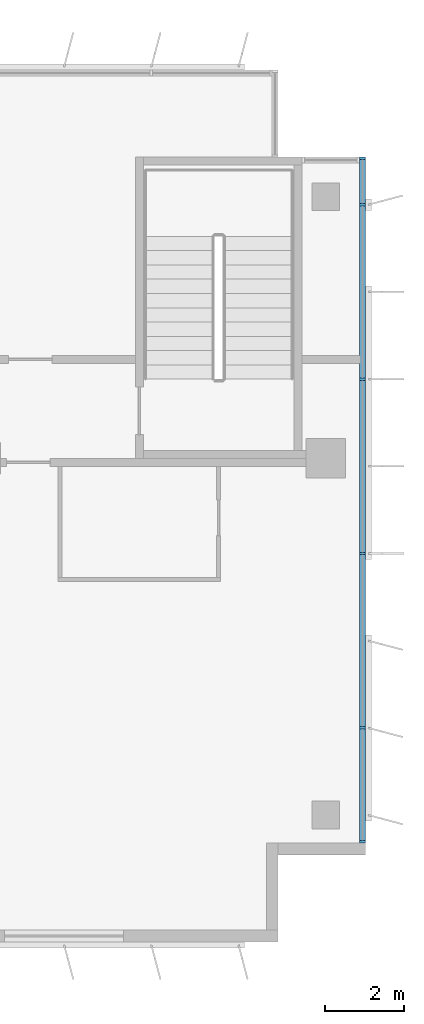
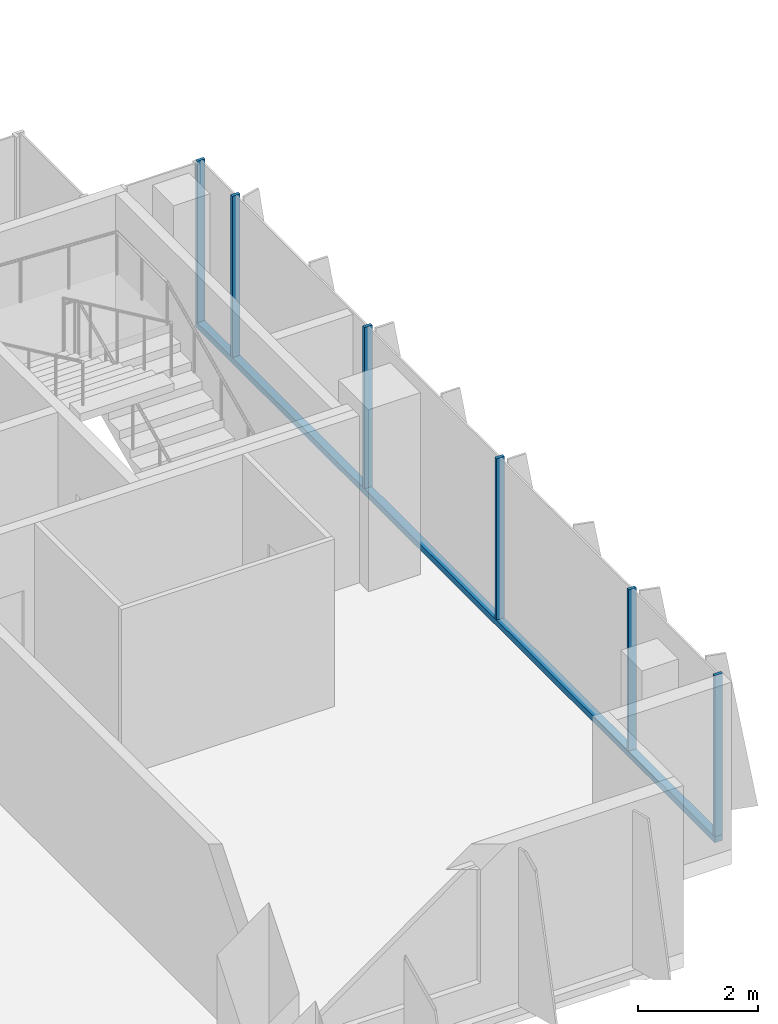
# One storey, part 8 of 21: 7 members, 1 element without a shape of its own.
"""IFC4 building model written with IfcOpenShell, lengths in metres."""

from ifc_helpers import new_model, si_unit, direction, frame, origin, origin_2d, place, context, subcontext, project, spatial, rectangle, extrude, source, transform, mapped, material, material_profile, profile_set, type_object, element, aggregate, save


model = new_model("IFC4")

# Units and contexts
model_context = context("Model", 3, precision=1e-05, world=origin(), true_north=direction((0.0, 1.0)))
body_context = subcontext(model_context, "Body", "Model", "MODEL_VIEW")
ifc_project = project(units=[si_unit("LENGTHUNIT", "METRE"), si_unit("AREAUNIT", "SQUARE_METRE"), si_unit("VOLUMEUNIT", "CUBIC_METRE"), si_unit("PLANEANGLEUNIT", "RADIAN"), si_unit("MASSUNIT", "GRAM", prefix="KILO")], contexts=[model_context])

# Site, building, storey
site_placement = place(None, origin())
site = spatial("IfcSite", under=ifc_project, at=site_placement, CompositionType="ELEMENT")
building_placement = place(site_placement, origin())
building = spatial("IfcBuilding", under=site, at=building_placement, Name="Kemantara Hotel Tower", CompositionType="ELEMENT")
storey_placement = place(building_placement, frame((0.0, 0.0, 160.5)))
storey = spatial("IfcBuildingStorey", under=building, at=storey_placement, Name="L39", CompositionType="ELEMENT", Elevation=160.5)

# Curtain wall, members
ifc_material_1 = material(Name="Low-E tinted double insulated glass 36 mm", Category="glass")
curtain_wall_type = type_object("IfcCurtainWallType", Name="TOWER CURTAIN WALL, FRONT FACES", PredefinedType="USERDEFINED", material=ifc_material_1)
curtain_wall_placement = place(storey_placement, origin())
curtain_wall = element("IfcCurtainWall", 1, at=curtain_wall_placement, inside=storey, type_object=curtain_wall_type, Name="CW4 L39 T3-R11-1", ObjectType="TOWER CURTAIN WALL, FRONT FACES", PredefinedType="USERDEFINED")
ifc_material_2 = material(Name="Aluminium 6063-T6 bronze anodised", Category="aluminium")
ifc_material_profile_1 = material_profile(ifc_material_2, rectangle(XDim=0.14990234375, YDim=0.1201171875, at=origin_2d()), Name="TOWER CURTAIN WALL, FRONT FACES TRANSOM")
ifc_profile_set_1 = profile_set([ifc_material_profile_1], Name="Aluminium 6063-T6 bronze anodised")
member_type_1 = type_object("IfcMemberType", Name="TOWER CURTAIN WALL, FRONT FACES TRANSOM", PredefinedType="USERDEFINED", material=ifc_profile_set_1)
member_1_placement = place(storey_placement, frame((63.52490234375, 2.5, 0.06005859375), z_axis=(0.0, 1.0, 0.0), x_axis=(-1.0, 0.0, 0.0)))
member_1 = element("IfcMember", 2, at=member_1_placement, type_object=member_type_1, Name="CW4 sill transom T3-R11-1", ObjectType="TRANSOM", PredefinedType="USERDEFINED", context=body_context, shape_type="SweptSolid", body=[
    extrude(rectangle(XDim=0.14990234375, YDim=0.1201171875, at=origin_2d()), origin(), (0.0, 0.0, 1.0), 17.300048828125),
])
ifc_material_profile_2 = material_profile(ifc_material_2, rectangle(XDim=0.14990234375, YDim=0.06005859375, at=origin_2d()), Name="TOWER CURTAIN WALL, FRONT FACES MULLION")
ifc_profile_set_2 = profile_set([ifc_material_profile_2], Name="Aluminium 6063-T6 bronze anodised")
member_type_2 = type_object("IfcMemberType", Name="TOWER CURTAIN WALL, FRONT FACES MULLION", PredefinedType="MULLION", material=ifc_profile_set_2)
shared_shape = source(origin(), body_context, "Body", "SweptSolid", [
    extrude(rectangle(XDim=0.14990234375, YDim=0.06005859375, at=origin_2d()), origin(), (0.0, 0.0, 1.0), 3.27978515625),
])
member_2_placement = place(storey_placement, frame((63.52490234375, 2.530029296875, 0.1201171875), z_axis=(0.0, 0.0, 1.0), x_axis=(-1.0, 0.0, 0.0)))
member_2 = element("IfcMember", 3, at=member_2_placement, type_object=member_type_2, Name="CW4 mullion T3-R11-1.1", PredefinedType="MULLION", context=body_context, shape_type="MappedRepresentation", body=[
    mapped(shared_shape, transform((0.0, 0.0, 0.0))),
])
member_3_placement = place(storey_placement, frame((63.52490234375, 5.39990234375, 0.1201171875), z_axis=(0.0, 0.0, 1.0), x_axis=(-1.0, 0.0, 0.0)))
member_3 = element("IfcMember", 4, at=member_3_placement, type_object=member_type_2, Name="CW4 mullion T3-R11-1.2", PredefinedType="MULLION", context=body_context, shape_type="MappedRepresentation", body=[
    mapped(shared_shape, transform((0.0, 0.0, 0.0))),
])
member_4_placement = place(storey_placement, frame((63.52490234375, 9.800048828125, 0.1201171875), z_axis=(0.0, 0.0, 1.0), x_axis=(-1.0, 0.0, 0.0)))
member_4 = element("IfcMember", 5, at=member_4_placement, type_object=member_type_2, Name="CW4 mullion T3-R11-1.3", PredefinedType="MULLION", context=body_context, shape_type="MappedRepresentation", body=[
    mapped(shared_shape, transform((0.0, 0.0, 0.0))),
])
member_5_placement = place(storey_placement, frame((63.52490234375, 14.199951171875, 0.1201171875), z_axis=(0.0, 0.0, 1.0), x_axis=(-1.0, 0.0, 0.0)))
member_5 = element("IfcMember", 6, at=member_5_placement, type_object=member_type_2, Name="CW4 mullion T3-R11-1.4", PredefinedType="MULLION", context=body_context, shape_type="MappedRepresentation", body=[
    mapped(shared_shape, transform((0.0, 0.0, 0.0))),
])
member_6_placement = place(storey_placement, frame((63.52490234375, 18.60009765625, 0.1201171875), z_axis=(0.0, 0.0, 1.0), x_axis=(-1.0, 0.0, 0.0)))
member_6 = element("IfcMember", 7, at=member_6_placement, type_object=member_type_2, Name="CW4 mullion T3-R11-1.5", PredefinedType="MULLION", context=body_context, shape_type="MappedRepresentation", body=[
    mapped(shared_shape, transform((0.0, 0.0, 0.0))),
])
member_7_placement = place(storey_placement, frame((63.52490234375, 19.77001953125, 0.1201171875), z_axis=(0.0, 0.0, 1.0), x_axis=(-1.0, 0.0, 0.0)))
member_7 = element("IfcMember", 8, at=member_7_placement, type_object=member_type_2, Name="CW4 mullion T3-R11-1.6", PredefinedType="MULLION", context=body_context, shape_type="MappedRepresentation", body=[
    mapped(shared_shape, transform((0.0, 0.0, 0.0))),
])
aggregate(curtain_wall, [member_1, member_2, member_3, member_4, member_5, member_6, member_7])

save(model, "model.ifc")
